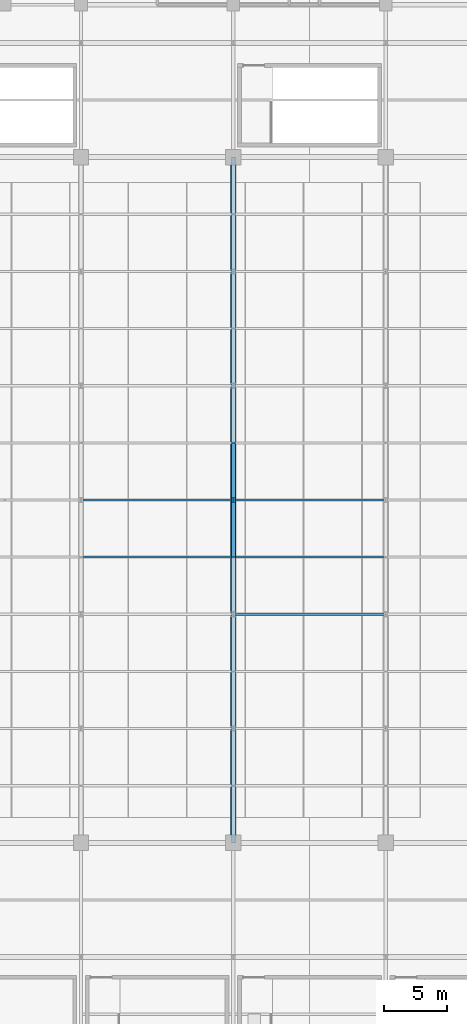
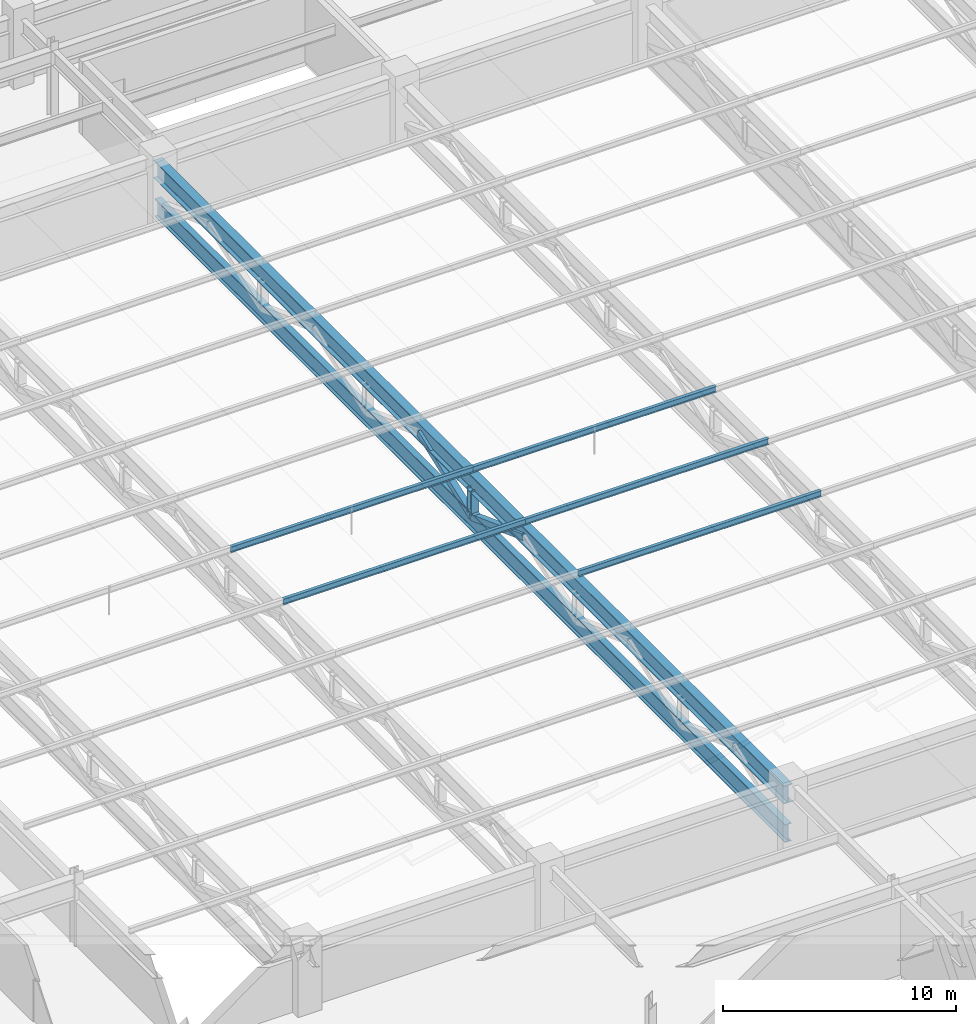
# One storey, part 29 of 108: 9 members, 1 beam.
"""IFC4 building model written with IfcOpenShell, lengths in metres."""

from ifc_helpers import new_model, si_unit, direction, frame, origin, origin_2d, place, context, subcontext, project, spatial, hollow_rectangle, i_section, extrude, material, material_profile, profile_set, type_object, element, save


model = new_model("IFC4")

# Units and contexts
model_context = context("Model", 3, precision=1e-05, world=origin(), true_north=direction((0.0, 1.0)))
body_context = subcontext(model_context, "Body", "Model", "MODEL_VIEW")
ifc_project = project(units=[si_unit("LENGTHUNIT", "METRE"), si_unit("AREAUNIT", "SQUARE_METRE"), si_unit("VOLUMEUNIT", "CUBIC_METRE"), si_unit("PLANEANGLEUNIT", "RADIAN"), si_unit("MASSUNIT", "GRAM", prefix="KILO")], contexts=[model_context])

# Site, building, storey
site_placement = place(None, origin())
site = spatial("IfcSite", under=ifc_project, at=site_placement, CompositionType="ELEMENT")
building_placement = place(site_placement, origin())
building = spatial("IfcBuilding", under=site, at=building_placement, Name="Kaldorvane Square Convention Centre", CompositionType="ELEMENT")
storey_placement = place(building_placement, frame((0.0, 0.0, 23.399993896484375)))
storey = spatial("IfcBuildingStorey", under=building, at=storey_placement, Name="L04", CompositionType="ELEMENT", Elevation=23.399993896484375)

# Beam
ifc_material_1 = material(Name="Steel ASTM A992 Gr. 50", Category="steel")
ifc_material_profile_1 = material_profile(ifc_material_1, i_section(OverallWidth=0.423004150390625, OverallDepth=0.9481964111328125, WebThickness=0.0240020751953125, FlangeThickness=0.042694091796875, FilletRadius=0.0240936279296875, at=origin_2d()), Name="W36X302")
ifc_profile_set_1 = profile_set([ifc_material_profile_1], Name="Steel ASTM A992 Gr. 50")
beam_type = type_object("IfcBeamType", Name="BM-GR-W36X302", PredefinedType="BEAM", material=ifc_profile_set_1)
beam_placement = place(storey_placement, frame((54.0, 18.0, 2.7335052490234375), z_axis=(0.0, 1.0, 0.0), x_axis=(-1.0, 0.0, 0.0)))
element("IfcBeam", 1, at=beam_placement, inside=storey, type_object=beam_type, Name="Hall Roof Truss RT-03 Top Chord", PredefinedType="BEAM", context=body_context, shape_type="SweptSolid", body=[
    extrude(i_section(OverallWidth=0.423004150390625, OverallDepth=0.9481964111328125, WebThickness=0.0240020751953125, FlangeThickness=0.042694091796875, FilletRadius=0.0240936279296875, at=origin_2d()), origin(), (0.0, 0.0, 1.0), 54.0),
])

# Members
ifc_material_2 = material(Name="Steel ASTM A500 Gr. C", Category="steel")
ifc_material_profile_2 = material_profile(ifc_material_2, hollow_rectangle(XDim=0.3047943115234375, YDim=0.3047943115234375, WallThickness=0.0117950439453125, at=origin_2d()), Name="HSS12X12X1/2")
ifc_profile_set_2 = profile_set([ifc_material_profile_2], Name="Steel ASTM A500 Gr. C")
member_type_1 = type_object("IfcMemberType", Name="MB-BR-HSS12", PredefinedType="BRACE", material=ifc_profile_set_2)
for number, where, z_axis, x_axis, name in (
    (2, (54.0, 40.5, 2.5535125732421875), (0.0, 0.937283847769, -0.348567050524), (-1.0, 0.0, 0.0), "Hall Roof Truss RT-03 Web 3B"),
    (3, (54.0, 45.0, 0.8800048828125), (0.0, 0.937283847769, 0.348567050524), (-1.0, 0.0, 0.0), "Hall Roof Truss RT-03 Web 4A"),
):
    element("IfcMember", number, at=place(storey_placement, frame(where, z_axis=z_axis, x_axis=x_axis)), inside=storey, type_object=member_type_1, Name=name, PredefinedType="BRACE", context=body_context, shape_type="SweptSolid", body=[
        extrude(hollow_rectangle(XDim=0.3047943115234375, YDim=0.3047943115234375, WallThickness=0.0117950439453125, at=origin_2d()), origin(), (0.0, 0.0, 1.0), 4.8011016845703125),
    ])
ifc_material_profile_3 = material_profile(ifc_material_1, i_section(OverallWidth=0.310302734375, OverallDepth=0.9506988525390625, WebThickness=0.0243988037109375, FlangeThickness=0.0438995361328125, FilletRadius=0.0240936279296875, at=origin_2d()), Name="W36X256")
ifc_profile_set_3 = profile_set([ifc_material_profile_3], Name="Steel ASTM A992 Gr. 50")
member_type_2 = type_object("IfcMemberType", Name="MB-CH-W36X256", PredefinedType="CHORD", material=ifc_profile_set_3)
member_1_placement = place(storey_placement, frame((54.0, 18.0, 0.70001220703125), z_axis=(0.0, 1.0, 0.0), x_axis=(-1.0, 0.0, 0.0)))
element("IfcMember", 4, at=member_1_placement, inside=storey, type_object=member_type_2, Name="Hall Roof Truss RT-03 Bottom Chord", PredefinedType="CHORD", context=body_context, shape_type="SweptSolid", body=[
    extrude(i_section(OverallWidth=0.310302734375, OverallDepth=0.9506988525390625, WebThickness=0.0243988037109375, FlangeThickness=0.0438995361328125, FilletRadius=0.0240936279296875, at=origin_2d()), origin(), (0.0, 0.0, 1.0), 54.0),
])
ifc_material_profile_4 = material_profile(ifc_material_1, i_section(OverallWidth=0.164794921875, OverallDepth=0.310394287109375, WebThickness=0.00579833984375, FlangeThickness=0.00970458984375, FilletRadius=0.007598876953125, at=origin_2d()), Name="W12X26")
ifc_profile_set_4 = profile_set([ifc_material_profile_4], Name="Steel ASTM A992 Gr. 50")
member_type_3 = type_object("IfcMemberType", Name="MB-PR-W12X26", PredefinedType="PURLIN", material=ifc_profile_set_4)
for number, where, z_axis, x_axis, name in (
    (5, (42.0, 40.5, 3.3628082275390625), (1.0, 0.0, 0.0), (0.0, 1.0, 0.0), "Hall Roof Steel Purlin"),
    (6, (42.0, 45.0, 3.3628082275390625), (1.0, 0.0, 0.0), (0.0, 1.0, 0.0), "Hall Roof Steel Purlin"),
    (7, (54.0, 36.0, 3.3628082275390625), (1.0, 0.0, 0.0), (0.0, 1.0, 0.0), "Hall Roof Steel Purlin"),
    (8, (54.0, 40.5, 3.3628082275390625), (1.0, 0.0, 0.0), (0.0, 1.0, 0.0), "Hall Roof Steel Purlin"),
    (9, (54.0, 45.0, 3.3628082275390625), (1.0, 0.0, 0.0), (0.0, 1.0, 0.0), "Hall Roof Steel Purlin"),
):
    element("IfcMember", number, at=place(storey_placement, frame(where, z_axis=z_axis, x_axis=x_axis)), inside=storey, type_object=member_type_3, Name=name, PredefinedType="PURLIN", context=body_context, shape_type="SweptSolid", body=[
        extrude(i_section(OverallWidth=0.164794921875, OverallDepth=0.310394287109375, WebThickness=0.00579833984375, FlangeThickness=0.00970458984375, FilletRadius=0.007598876953125, at=origin_2d()), origin(), (0.0, 0.0, 1.0), 12.0),
    ])
ifc_material_profile_5 = material_profile(ifc_material_1, i_section(OverallWidth=0.373992919921875, OverallDepth=0.372406005859375, WebThickness=0.0164031982421875, FlangeThickness=0.0261993408203125, FilletRadius=0.0305023193359375, at=origin_2d()), Name="W14X132")
ifc_profile_set_5 = profile_set([ifc_material_profile_5], Name="Steel ASTM A992 Gr. 50")
member_type_4 = type_object("IfcMemberType", Name="MB-PS-W14X132", PredefinedType="POST", material=ifc_profile_set_5)
member_2_placement = place(storey_placement, frame((54.0, 45.0, 1.0500030517578125), z_axis=(0.0, 0.0, 1.0), x_axis=(1.0, 0.0, 0.0)))
element("IfcMember", 10, at=member_2_placement, inside=storey, type_object=member_type_4, Name="Hall Roof Truss RT-03 Post 3", PredefinedType="POST", context=body_context, shape_type="SweptSolid", body=[
    extrude(i_section(OverallWidth=0.373992919921875, OverallDepth=0.372406005859375, WebThickness=0.0164031982421875, FlangeThickness=0.0261993408203125, FilletRadius=0.0305023193359375, at=origin_2d()), origin(), (0.0, 0.0, 1.0), 1.33349609375),
])

save(model, "model.ifc")
